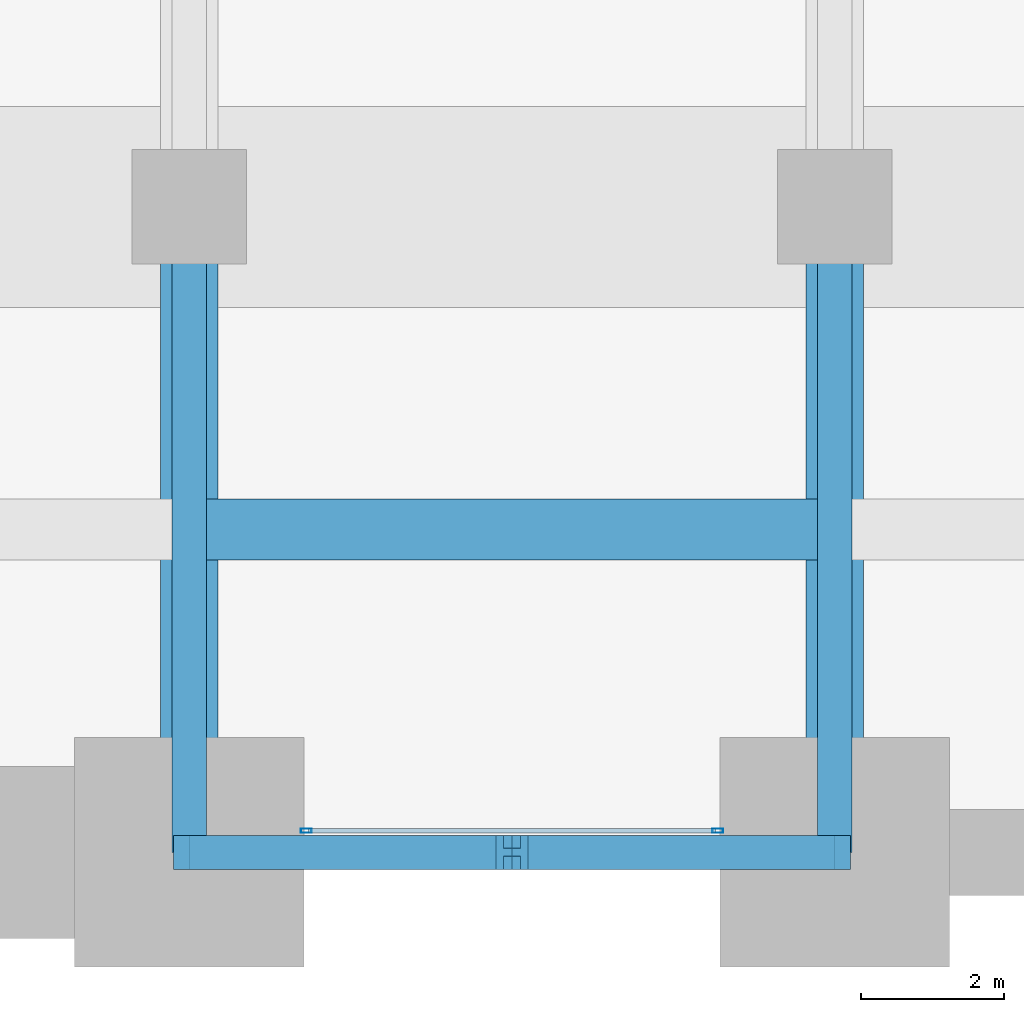
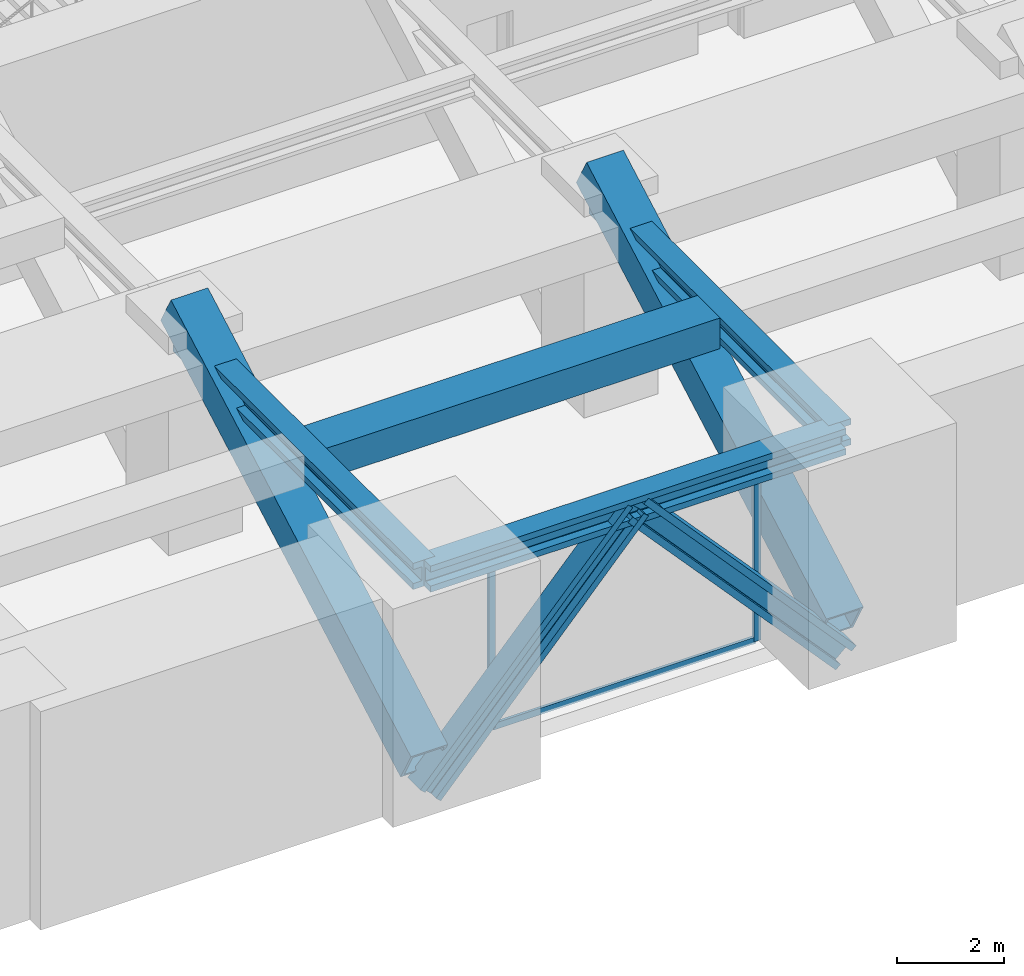
# One storey, part 6 of 32: 7 members, 4 beams, 1 element without a shape of its own.
"""IFC4 building model written with IfcOpenShell, lengths in metres."""

from ifc_helpers import new_model, si_unit, direction, frame, origin, origin_2d, place, context, subcontext, project, spatial, rectangle, hollow_rectangle, i_section, extrude, material, material_profile, profile_set, type_object, element, aggregate, save


model = new_model("IFC4")

# Units and contexts
model_context = context("Model", 3, precision=1e-05, world=origin(), true_north=direction((0.0, 1.0)))
body_context = subcontext(model_context, "Body", "Model", "MODEL_VIEW")
ifc_project = project(units=[si_unit("LENGTHUNIT", "METRE"), si_unit("AREAUNIT", "SQUARE_METRE"), si_unit("VOLUMEUNIT", "CUBIC_METRE"), si_unit("PLANEANGLEUNIT", "RADIAN"), si_unit("MASSUNIT", "GRAM", prefix="KILO")], contexts=[model_context])

# Site, building, storey
site_placement = place(None, origin())
site = spatial("IfcSite", under=ifc_project, at=site_placement, CompositionType="ELEMENT")
building_placement = place(site_placement, origin())
building = spatial("IfcBuilding", under=site, at=building_placement, Name="Zorevar Civic Tower", CompositionType="ELEMENT")
storey_placement = place(building_placement, frame((0.0, 0.0, 234.39990234375)))
storey = spatial("IfcBuildingStorey", under=building, at=storey_placement, Name="L57", CompositionType="ELEMENT", Elevation=234.39990234375)

# Beams
ifc_material_1 = material(Name="Concrete C50/60", Category="concrete")
ifc_material_profile_1 = material_profile(ifc_material_1, rectangle(XDim=0.85009765625, YDim=0.699951171875, at=origin_2d()), Name="RC 850x700")
ifc_profile_set_1 = profile_set([ifc_material_profile_1], Name="Concrete C50/60")
beam_type_1 = type_object("IfcBeamType", Name="Beam RC 850x700", PredefinedType="BEAM", material=ifc_profile_set_1)
beam_1_placement = place(storey_placement, frame((18.238037109375, 4.5, 4.25), z_axis=(1.0, 0.0, 0.0), x_axis=(0.0, 1.0, 0.0)))
element("IfcBeam", 1, at=beam_1_placement, inside=storey, type_object=beam_type_1, Name="Secondary beam L58", PredefinedType="BEAM", context=body_context, shape_type="SweptSolid", body=[
    extrude(rectangle(XDim=0.85009765625, YDim=0.699951171875, at=origin_2d()), origin(), (0.0, 0.0, 1.0), 8.52392578125),
])
ifc_material_2 = material(Name="Steel S460M (HISTAR 460)", Category="steel")
ifc_material_profile_2 = material_profile(ifc_material_2, i_section(OverallWidth=0.47607421875, OverallDepth=0.60009765625, WebThickness=0.10009765625, FlangeThickness=0.139892578125, FilletRadius=0.014892578125, at=origin_2d()), Name="HD 400x1299")
ifc_profile_set_2 = profile_set([ifc_material_profile_2], Name="Steel S460M (HISTAR 460)")
beam_type_2 = type_object("IfcBeamType", Name="Belt chord HD 400x1299", PredefinedType="BEAM", material=ifc_profile_set_2)
beam_2_placement = place(storey_placement, frame((18.0, 0.0, 4.300048828125), z_axis=(1.0, 0.0, 0.0), x_axis=(0.0, 1.0, 0.0)))
element("IfcBeam", 2, at=beam_2_placement, inside=storey, type_object=beam_type_2, Name="Belt chord L58", PredefinedType="BEAM", context=body_context, shape_type="SweptSolid", body=[
    extrude(i_section(OverallWidth=0.47607421875, OverallDepth=0.60009765625, WebThickness=0.10009765625, FlangeThickness=0.139892578125, FilletRadius=0.014892578125, at=origin_2d()), origin(), (0.0, 0.0, 1.0), 9.0),
])

# Members
ifc_material_3 = material(Name="Steel S460M (HISTAR 460)", Category="steel")
ifc_material_profile_3 = material_profile(ifc_material_3, i_section(OverallWidth=0.47607421875, OverallDepth=0.60009765625, WebThickness=0.10009765625, FlangeThickness=0.139892578125, FilletRadius=0.014892578125, at=origin_2d()), Name="HD 400x1299")
ifc_profile_set_3 = profile_set([ifc_material_profile_3], Name="Steel S460M (HISTAR 460)")
member_type_1 = type_object("IfcMemberType", Name="Belt strut HD 400x1299", PredefinedType="BRACE", material=ifc_profile_set_3)
for number, where, z_axis, x_axis, name in (
    (3, (18.0, 0.0, -0.64990234375), (0.672676426978, 0.0, 0.739936770669), (0.0, 1.0, 0.0), "Belt strut S L57"),
    (4, (27.0, 0.0, -0.64990234375), (-0.672676426978, 0.0, 0.739936770669), (0.0, -1.0, 0.0), "Belt strut S L57"),
):
    element("IfcMember", number, at=place(storey_placement, frame(where, z_axis=z_axis, x_axis=x_axis)), inside=storey, type_object=member_type_1, Name=name, PredefinedType="BRACE", context=body_context, shape_type="SweptSolid", body=[
        extrude(i_section(OverallWidth=0.47607421875, OverallDepth=0.60009765625, WebThickness=0.10009765625, FlangeThickness=0.139892578125, FilletRadius=0.014892578125, at=origin_2d()), origin(), (0.0, 0.0, 1.0), 6.689697265625),
    ])

# Curtain wall, members
ifc_material_4 = material(Name="Black aluminium louvres", Category="aluminium")
curtain_wall_type = type_object("IfcCurtainWallType", Name="Louvred curtain wall CW6 refuge", PredefinedType="NOTDEFINED", material=ifc_material_4)
curtain_wall_placement = place(storey_placement, origin())
curtain_wall = element("IfcCurtainWall", 5, at=curtain_wall_placement, inside=storey, type_object=curtain_wall_type, Name="CW6 L57", PredefinedType="NOTDEFINED")
ifc_material_5 = material(Name="Aluminium, black anodised", Category="aluminium")
ifc_material_profile_4 = material_profile(ifc_material_5, hollow_rectangle(XDim=0.06005859375, YDim=0.14990234375, WallThickness=0.00390625, at=origin_2d()), Name="AL 150x60x4")
ifc_profile_set_4 = profile_set([ifc_material_profile_4], Name="Aluminium, black anodised")
member_type_2 = type_object("IfcMemberType", Name="CW6 mullion AL 150x60x4", PredefinedType="MULLION", material=ifc_profile_set_4)
member_1_placement = place(storey_placement, frame((19.6298828125, 0.300048828125, 0.0), z_axis=(0.0, 0.0, 1.0), x_axis=(0.0, 1.0, 0.0)))
member_1 = element("IfcMember", 6, at=member_1_placement, type_object=member_type_2, Name="CW6 mullion 1", PredefinedType="MULLION", context=body_context, shape_type="SweptSolid", body=[
    extrude(hollow_rectangle(XDim=0.06005859375, YDim=0.14990234375, WallThickness=0.00390625, at=origin_2d()), origin(), (0.0, 0.0, 1.0), 3.800048828125),
])
member_2_placement = place(storey_placement, frame((25.3701171875, 0.300048828125, 0.0), z_axis=(0.0, 0.0, 1.0), x_axis=(0.0, 1.0, 0.0)))
member_2 = element("IfcMember", 7, at=member_2_placement, type_object=member_type_2, Name="CW6 mullion 2", PredefinedType="MULLION", context=body_context, shape_type="SweptSolid", body=[
    extrude(hollow_rectangle(XDim=0.06005859375, YDim=0.14990234375, WallThickness=0.00390625, at=origin_2d()), origin(), (0.0, 0.0, 1.0), 3.800048828125),
])
ifc_material_6 = material(Name="Aluminium, black anodised", Category="aluminium")
ifc_material_profile_5 = material_profile(ifc_material_6, hollow_rectangle(XDim=0.06005859375, YDim=0.14990234375, WallThickness=0.00390625, at=origin_2d()), Name="AL 150x60x4")
ifc_profile_set_5 = profile_set([ifc_material_profile_5], Name="Aluminium, black anodised")
member_type_3 = type_object("IfcMemberType", Name="CW6 transom AL 150x60x4", PredefinedType="USERDEFINED", material=ifc_profile_set_5)
member_3_placement = place(storey_placement, frame((19.659912109375, 0.300048828125, 0.030029296875), z_axis=(1.0, 0.0, 0.0), x_axis=(0.0, 1.0, 0.0)))
member_3 = element("IfcMember", 8, at=member_3_placement, type_object=member_type_3, Name="CW6 sill transom", ObjectType="TRANSOM", PredefinedType="USERDEFINED", context=body_context, shape_type="SweptSolid", body=[
    extrude(hollow_rectangle(XDim=0.06005859375, YDim=0.14990234375, WallThickness=0.00390625, at=origin_2d()), origin(), (0.0, 0.0, 1.0), 5.68017578125),
])
aggregate(curtain_wall, [member_1, member_2, member_3])

# Beams
ifc_material_7 = material(Name="Steel S460M (HISTAR 460)", Category="steel")
ifc_material_profile_6 = material_profile(ifc_material_7, i_section(OverallWidth=0.47607421875, OverallDepth=0.60009765625, WebThickness=0.10009765625, FlangeThickness=0.139892578125, FilletRadius=0.014892578125, at=origin_2d()), Name="HD 400x1299")
ifc_profile_set_6 = profile_set([ifc_material_profile_6], Name="Steel S460M (HISTAR 460)")
beam_type_3 = type_object("IfcBeamType", Name="Outrigger chord HD 400x1299", PredefinedType="BEAM", material=ifc_profile_set_6)
for number, where, z_axis, x_axis, name in (
    (9, (18.0, 0.0, 4.300048828125), (0.0, 1.0, 0.0), (-1.0, 0.0, 0.0), "Outrigger chord L58"),
    (10, (27.0, 0.0, 4.300048828125), (0.0, 1.0, 0.0), (-1.0, 0.0, 0.0), "Outrigger chord L58"),
):
    element("IfcBeam", number, at=place(storey_placement, frame(where, z_axis=z_axis, x_axis=x_axis)), inside=storey, type_object=beam_type_3, Name=name, PredefinedType="BEAM", context=body_context, shape_type="SweptSolid", body=[
        extrude(i_section(OverallWidth=0.47607421875, OverallDepth=0.60009765625, WebThickness=0.10009765625, FlangeThickness=0.139892578125, FilletRadius=0.014892578125, at=origin_2d()), origin(), (0.0, 0.0, 1.0), 9.0),
    ])

# Members
ifc_material_8 = material(Name="Steel S460M (HISTAR 460)", Category="steel")
ifc_material_profile_7 = material_profile(ifc_material_8, hollow_rectangle(XDim=0.800048828125, YDim=0.800048828125, WallThickness=0.06005859375, at=origin_2d()), Name="BOX 800x800x60")
ifc_profile_set_7 = profile_set([ifc_material_profile_7], Name="Steel S460M (HISTAR 460)")
member_type_4 = type_object("IfcMemberType", Name="Outrigger diagonal BOX 800x800x60", PredefinedType="BRACE", material=ifc_profile_set_7)
for number, where, z_axis, x_axis, name in (
    (11, (18.0, 9.0, 5.0), (0.0, -0.874157276122, -0.485642931179), (1.0, 0.0, 0.0), "Outrigger diagonal S L57"),
    (12, (27.0, 9.0, 5.0), (0.0, -0.874157276122, -0.485642931179), (1.0, 0.0, 0.0), "Outrigger diagonal S L57"),
):
    element("IfcMember", number, at=place(storey_placement, frame(where, z_axis=z_axis, x_axis=x_axis)), inside=storey, type_object=member_type_4, Name=name, PredefinedType="BRACE", context=body_context, shape_type="SweptSolid", body=[
        extrude(hollow_rectangle(XDim=0.800048828125, YDim=0.800048828125, WallThickness=0.06005859375, at=origin_2d()), origin(), (0.0, 0.0, 1.0), 10.295654296875),
    ])

save(model, "model.ifc")
